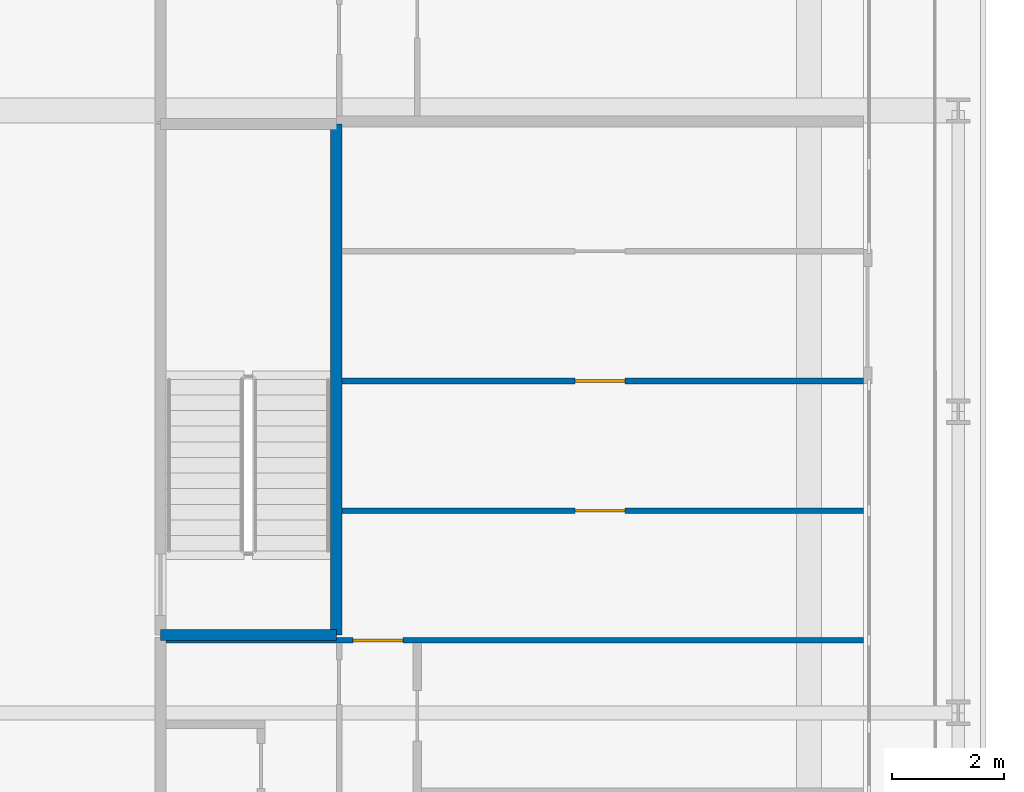
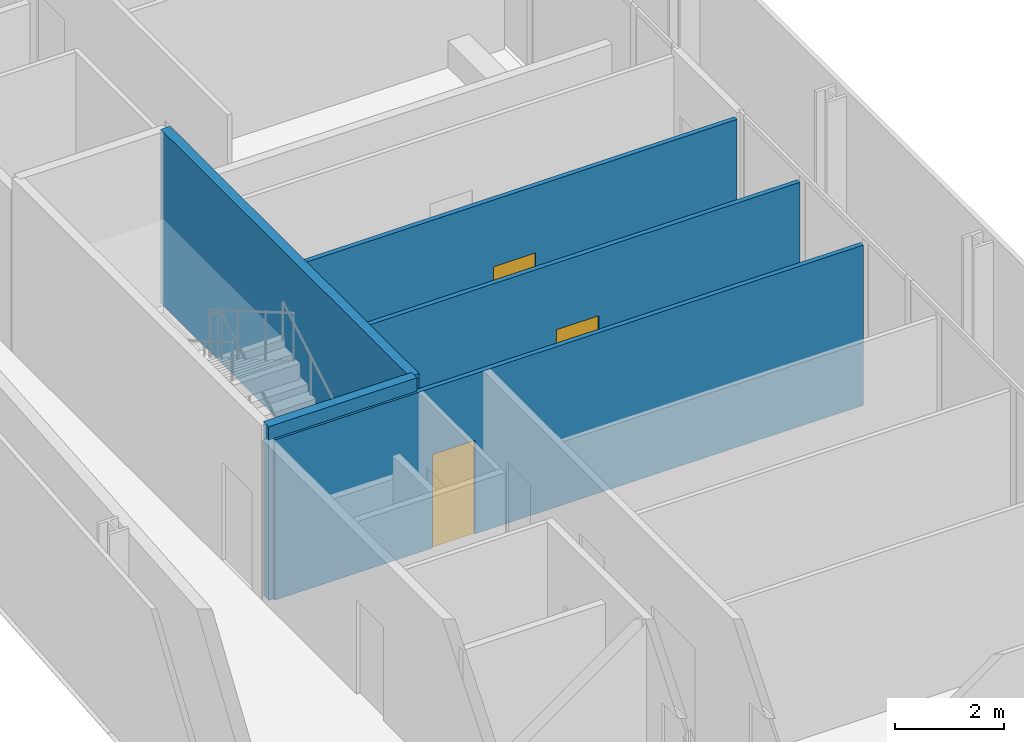
# One storey, part 18 of 28: 5 walls, 3 doors, 3 openings.
"""IFC4 building model written with IfcOpenShell, lengths in metres."""

from ifc_helpers import new_model, si_unit, direction, frame, frame_2d, origin, place, context, subcontext, project, spatial, rectangle, extrude, source, transform, mapped, material, layer, layer_set, type_object, element, fill, save


model = new_model("IFC4")

# Units and contexts
model_context = context("Model", 3, precision=1e-05, world=origin(), true_north=direction((0.0, 1.0)))
body_context = subcontext(model_context, "Body", "Model", "MODEL_VIEW")
ifc_project = project(units=[si_unit("LENGTHUNIT", "METRE"), si_unit("AREAUNIT", "SQUARE_METRE"), si_unit("VOLUMEUNIT", "CUBIC_METRE"), si_unit("PLANEANGLEUNIT", "RADIAN"), si_unit("MASSUNIT", "GRAM", prefix="KILO")], contexts=[model_context])

# Site, building, storey
site_placement = place(None, origin())
site = spatial("IfcSite", under=ifc_project, at=site_placement, CompositionType="ELEMENT")
building_placement = place(site_placement, origin())
building = spatial("IfcBuilding", under=site, at=building_placement, Name="Kheshtan School and Residences Tower", CompositionType="ELEMENT")
storey_placement = place(building_placement, frame((0.0, 0.0, 125.300048828125)))
storey = spatial("IfcBuildingStorey", under=building, at=storey_placement, Name="L29", CompositionType="ELEMENT", Elevation=125.300048828125)

# Wall, opening, door
ifc_material_1 = material(Name="Gypsum board on steel studs", Category="steel")
ifc_layer_1 = layer(ifc_material_1, 0.10009765625)
ifc_layer_set_1 = layer_set([ifc_layer_1], Name="Gypsum partition 100")
wall_type_1 = type_object("IfcWallType", Name="Gypsum partition 100", PredefinedType="PARTITIONING", material=ifc_layer_set_1)
wall_1_placement = place(storey_placement, frame((33.39990234375, 79.300048828125, 0.0), z_axis=(0.0, 0.0, 1.0), x_axis=(1.0, 0.0, 0.0)))
wall_1 = element("IfcWall", 1, at=wall_1_placement, inside=storey, type_object=wall_type_1, Name="Partition L29-017", PredefinedType="PARTITIONING", context=body_context, shape_type="SweptSolid", body=[
    extrude(rectangle(XDim=12.5, YDim=0.10009765625, at=frame_2d((6.25, 0.0))), origin(), (0.0, 0.0, 1.0), 3.599853515625),
])
opening_1_placement = place(wall_1_placement, frame((3.35009765625, 0.0, 0.0)))
opening_1 = element("IfcOpeningElement", 2, at=opening_1_placement, cuts=wall_1, Name="Opening D29-053", PredefinedType="OPENING", context=body_context, shape_type="SweptSolid", body=[
    extrude(rectangle(XDim=0.89990234375, YDim=2.10009765625, at=frame_2d((0.449951171875, 1.050048828125))), frame((0.0, 0.06005859375, 0.0), z_axis=(0.0, -1.0, 0.0), x_axis=(1.0, 0.0, 0.0)), (0.0, 0.0, 1.0), 0.1201171875),
])
ifc_material_2 = material(Name="Veneered timber door leaf", Category="wood")
door_type = type_object("IfcDoorType", Name="Door 900 x 2100", OperationType="SINGLE_SWING_LEFT", PredefinedType="DOOR", material=ifc_material_2)
shared_shape = source(origin(), body_context, "Body", "SweptSolid", [
    extrude(rectangle(XDim=0.89990234375, YDim=2.10009765625, at=frame_2d((0.449951171875, 1.050048828125))), frame((0.0, 0.02490234375, 0.0), z_axis=(0.0, -1.0, 0.0), x_axis=(1.0, 0.0, 0.0)), (0.0, 0.0, 1.0), 0.050048828125),
])
door_1_placement = place(opening_1_placement, origin())
door_1 = element("IfcDoor", 3, at=door_1_placement, inside=storey, type_object=door_type, Name="Door D29-053", OperationType="SINGLE_SWING_LEFT", OverallHeight=2.10009765625, OverallWidth=0.89990234375, PredefinedType="DOOR", context=body_context, shape_type="MappedRepresentation", body=[
    mapped(shared_shape, transform((0.0, 0.0, 0.0), x_axis=(1.0, 0.0, 0.0), y_axis=(0.0, 1.0, 0.0), z_axis=(0.0, 0.0, 1.0), scale=1.0)),
])
fill(opening_1, door_1)

wall_2_placement = place(storey_placement, frame((36.549072265625, 81.625, 0.0), z_axis=(0.0, 0.0, 1.0), x_axis=(1.0, 0.0, 0.0)))
wall_2 = element("IfcWall", 4, at=wall_2_placement, inside=storey, type_object=wall_type_1, Name="Partition L29-029", PredefinedType="PARTITIONING", context=body_context, shape_type="SweptSolid", body=[
    extrude(rectangle(XDim=9.350830078125, YDim=0.10009765625, at=frame_2d((4.67529296875, 0.0))), origin(), (0.0, 0.0, 1.0), 3.599853515625),
])
opening_2_placement = place(wall_2_placement, frame((4.176025390625, 0.0, 0.0)))
opening_2 = element("IfcOpeningElement", 5, at=opening_2_placement, cuts=wall_2, Name="Opening D29-054", PredefinedType="OPENING", context=body_context, shape_type="SweptSolid", body=[
    extrude(rectangle(XDim=0.89990234375, YDim=2.10009765625, at=frame_2d((0.449951171875, 1.050048828125))), frame((0.0, 0.06005859375, 0.0), z_axis=(0.0, -1.0, 0.0), x_axis=(1.0, 0.0, 0.0)), (0.0, 0.0, 1.0), 0.1201171875),
])
door_2_placement = place(opening_2_placement, origin())
door_2 = element("IfcDoor", 6, at=door_2_placement, inside=storey, type_object=door_type, Name="Door D29-054", OperationType="SINGLE_SWING_RIGHT", OverallHeight=2.10009765625, OverallWidth=0.89990234375, PredefinedType="DOOR", context=body_context, shape_type="MappedRepresentation", body=[
    mapped(shared_shape, transform((0.0, 0.0, 0.0), x_axis=(1.0, 0.0, 0.0), y_axis=(0.0, 1.0, 0.0), z_axis=(0.0, 0.0, 1.0), scale=1.0)),
])
fill(opening_2, door_2)

wall_3_placement = place(storey_placement, frame((36.549072265625, 83.949951171875, 0.0), z_axis=(0.0, 0.0, 1.0), x_axis=(1.0, 0.0, 0.0)))
wall_3 = element("IfcWall", 7, at=wall_3_placement, inside=storey, type_object=wall_type_1, Name="Partition L29-030", PredefinedType="PARTITIONING", context=body_context, shape_type="SweptSolid", body=[
    extrude(rectangle(XDim=9.350830078125, YDim=0.10009765625, at=frame_2d((4.67529296875, 0.0))), origin(), (0.0, 0.0, 1.0), 3.599853515625),
])
opening_3_placement = place(wall_3_placement, frame((4.176025390625, 0.0, 0.0)))
opening_3 = element("IfcOpeningElement", 8, at=opening_3_placement, cuts=wall_3, Name="Opening D29-055", PredefinedType="OPENING", context=body_context, shape_type="SweptSolid", body=[
    extrude(rectangle(XDim=0.89990234375, YDim=2.10009765625, at=frame_2d((0.449951171875, 1.050048828125))), frame((0.0, 0.06005859375, 0.0), z_axis=(0.0, -1.0, 0.0), x_axis=(1.0, 0.0, 0.0)), (0.0, 0.0, 1.0), 0.1201171875),
])
door_3_placement = place(opening_3_placement, origin())
door_3 = element("IfcDoor", 9, at=door_3_placement, inside=storey, type_object=door_type, Name="Door D29-055", OperationType="SINGLE_SWING_RIGHT", OverallHeight=2.10009765625, OverallWidth=0.89990234375, PredefinedType="DOOR", context=body_context, shape_type="MappedRepresentation", body=[
    mapped(shared_shape, transform((0.0, 0.0, 0.0), x_axis=(1.0, 0.0, 0.0), y_axis=(0.0, 1.0, 0.0), z_axis=(0.0, 0.0, 1.0), scale=1.0)),
])
fill(opening_3, door_3)

# Walls
ifc_material_3 = material(Name="Concrete C40/50", Category="concrete")
ifc_layer_2 = layer(ifc_material_3, 0.199951171875)
ifc_layer_set_2 = layer_set([ifc_layer_2], Name="Stair enclosure wall 200 Concrete C40/50")
wall_type_2 = type_object("IfcWallType", Name="Stair enclosure wall 200 Concrete C40/50", PredefinedType="SHEAR", material=ifc_layer_set_2)
wall_4_placement = place(storey_placement, frame((33.300048828125, 79.39990234375, 0.0), z_axis=(0.0, 0.0, 1.0), x_axis=(1.0, 0.0, 0.0)))
element("IfcWall", 10, at=wall_4_placement, inside=storey, type_object=wall_type_2, Name="Stair enclosure wall ST3", PredefinedType="SHEAR", context=body_context, shape_type="SweptSolid", body=[
    extrude(rectangle(XDim=3.14990234375, YDim=0.199951171875, at=frame_2d((1.574951171875, 0.0))), origin(), (0.0, 0.0, 1.0), 3.89990234375),
])
wall_5_placement = place(storey_placement, frame((36.449951171875, 79.39990234375, 0.0), z_axis=(0.0, 0.0, 1.0), x_axis=(0.0, 1.0, 0.0)))
element("IfcWall", 11, at=wall_5_placement, inside=storey, type_object=wall_type_2, Name="Stair enclosure wall ST3", PredefinedType="SHEAR", context=body_context, shape_type="SweptSolid", body=[
    extrude(rectangle(XDim=9.16015625, YDim=0.199951171875, at=frame_2d((4.580078125, 0.0))), origin(), (0.0, 0.0, 1.0), 3.89990234375),
])

save(model, "model.ifc")
